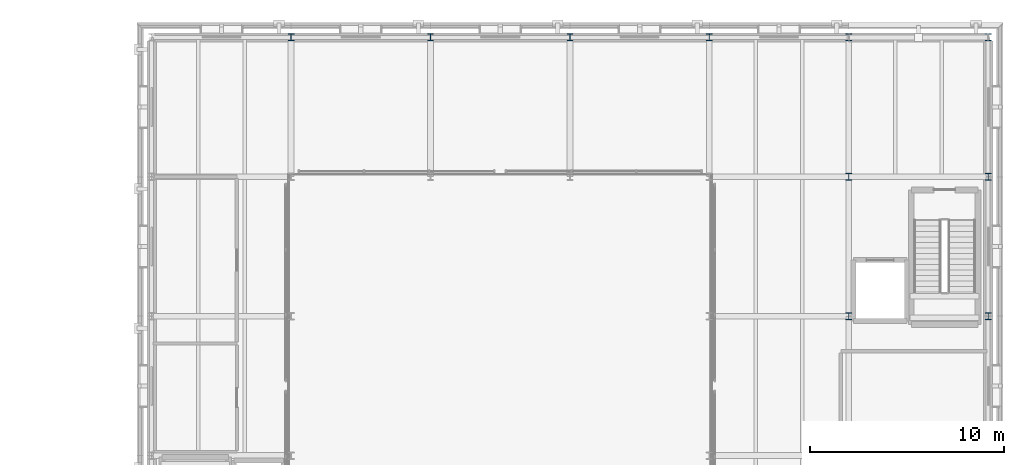
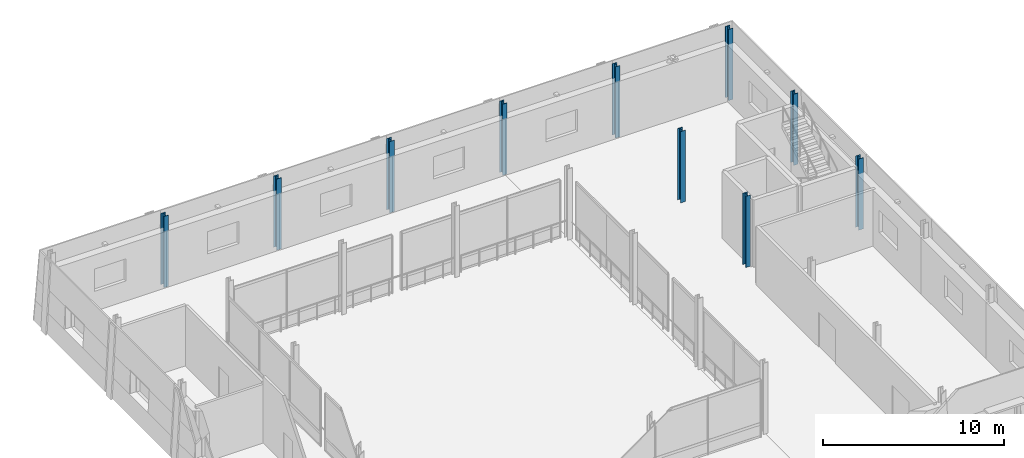
# One storey, part 21 of 121: 10 columns.
"""IFC4 building model written with IfcOpenShell, lengths in metres."""

from ifc_helpers import new_model, si_unit, direction, frame, origin, origin_2d, place, context, subcontext, project, spatial, i_section, extrude, material, material_profile, profile_set, type_object, element, save


model = new_model("IFC4")

# Units and contexts
model_context = context("Model", 3, precision=1e-05, world=origin(), true_north=direction((0.0, 1.0)))
body_context = subcontext(model_context, "Body", "Model", "MODEL_VIEW")
ifc_project = project(units=[si_unit("LENGTHUNIT", "METRE"), si_unit("AREAUNIT", "SQUARE_METRE"), si_unit("VOLUMEUNIT", "CUBIC_METRE"), si_unit("PLANEANGLEUNIT", "RADIAN"), si_unit("MASSUNIT", "GRAM", prefix="KILO")], contexts=[model_context])

# Site, building, storey
site_placement = place(None, origin())
site = spatial("IfcSite", under=ifc_project, at=site_placement, CompositionType="ELEMENT")
building_placement = place(site_placement, origin())
building = spatial("IfcBuilding", under=site, at=building_placement, Name="Narikvali Park Central Library", CompositionType="ELEMENT")
storey_placement = place(building_placement, frame((0.0, 0.0, 5.39990234375)))
storey = spatial("IfcBuildingStorey", under=building, at=storey_placement, Name="L01", CompositionType="ELEMENT", Elevation=5.39990234375)

# Columns
ifc_material = material(Name="Steel S355", Category="steel")
ifc_material_profile = material_profile(ifc_material, i_section(OverallWidth=0.300048828125, OverallDepth=0.360107421875, WebThickness=0.012451171875, FlangeThickness=0.0224609375, FilletRadius=0.027099609375, at=origin_2d()), Name="HEB 360")
ifc_profile_set = profile_set([ifc_material_profile], Name="Steel S355")
column_type = type_object("IfcColumnType", Name="Steel Column HEB360", PredefinedType="COLUMN", material=ifc_profile_set)
for number, where, z_axis, x_axis, name in (
    (1, (129.60009765625, 115.199951171875, 0.0), (0.0, 0.0, 1.0), (1.0, 0.0, 0.0), "V3 L01 Column (129.6,115.2)"),
    (2, (136.800048828125, 115.199951171875, 0.0), (0.0, 0.0, 1.0), (1.0, 0.0, 0.0), "V3 L01 Column (136.8,115.2)"),
    (3, (144.0, 115.199951171875, 0.0), (0.0, 0.0, 1.0), (1.0, 0.0, 0.0), "V3 L01 Column (144.0,115.2)"),
    (4, (151.199951171875, 115.199951171875, 0.0), (0.0, 0.0, 1.0), (1.0, 0.0, 0.0), "V3 L01 Column (151.2,115.2)"),
    (5, (158.39990234375, 100.800048828125, 0.0), (0.0, 0.0, 1.0), (1.0, 0.0, 0.0), "V3 L01 Column (158.4,100.8)"),
    (6, (158.39990234375, 108.0, 0.0), (0.0, 0.0, 1.0), (1.0, 0.0, 0.0), "V3 L01 Column (158.4,108.0)"),
    (7, (158.39990234375, 115.199951171875, 0.0), (0.0, 0.0, 1.0), (1.0, 0.0, 0.0), "V3 L01 Column (158.4,115.2)"),
    (8, (165.60009765625, 100.800048828125, 0.0), (0.0, 0.0, 1.0), (1.0, 0.0, 0.0), "V3 L01 Column (165.6,100.8)"),
    (9, (165.60009765625, 108.0, 0.0), (0.0, 0.0, 1.0), (1.0, 0.0, 0.0), "V3 L01 Column (165.6,108.0)"),
    (10, (165.60009765625, 115.199951171875, 0.0), (0.0, 0.0, 1.0), (1.0, 0.0, 0.0), "V3 L01 Column (165.6,115.2)"),
):
    element("IfcColumn", number, at=place(storey_placement, frame(where, z_axis=z_axis, x_axis=x_axis)), inside=storey, type_object=column_type, Name=name, PredefinedType="COLUMN", context=body_context, shape_type="SweptSolid", body=[
        extrude(i_section(OverallWidth=0.300048828125, OverallDepth=0.360107421875, WebThickness=0.012451171875, FlangeThickness=0.0224609375, FilletRadius=0.027099609375, at=origin_2d()), origin(), (0.0, 0.0, 1.0), 4.800048828125),
    ])

save(model, "model.ifc")
